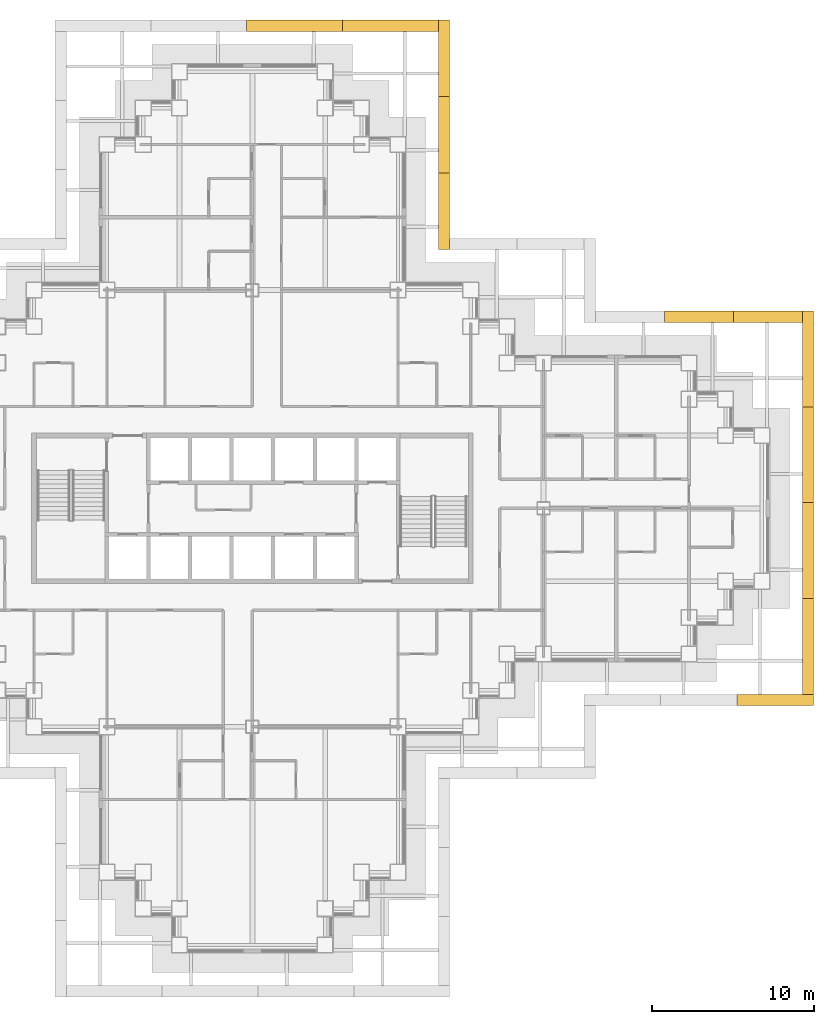
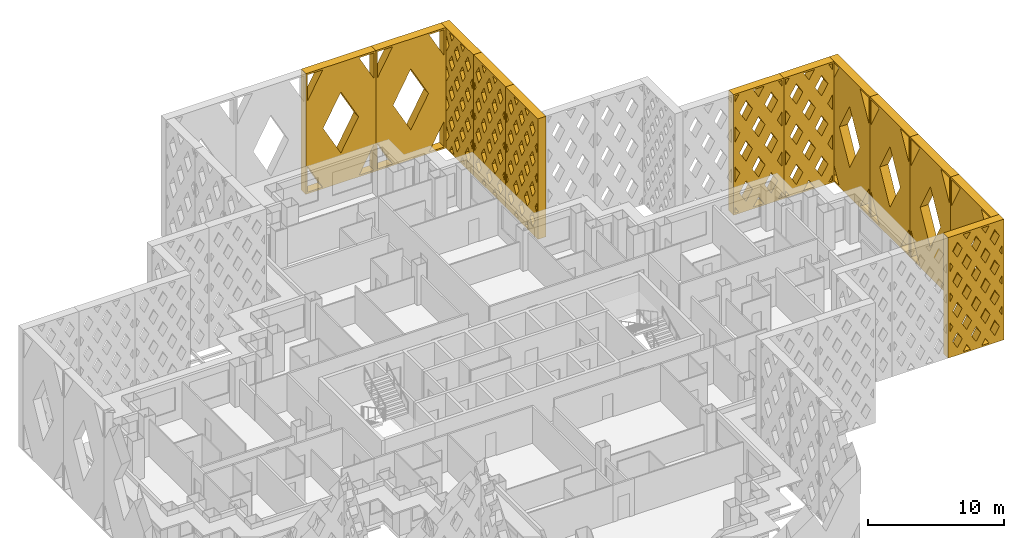
# One storey, part 19 of 19: 12 shading devices.
"""IFC4 building model written with IfcOpenShell, lengths in metres."""

from ifc_helpers import new_model, si_unit, direction, frame, origin, place, context, subcontext, project, spatial, polyline, outline, extrude, material, type_object, element, save


model = new_model("IFC4")

# Units and contexts
model_context = context("Model", 3, precision=1e-05, world=origin(), true_north=direction((0.0, 1.0)))
body_context = subcontext(model_context, "Body", "Model", "MODEL_VIEW")
ifc_project = project(units=[si_unit("LENGTHUNIT", "METRE"), si_unit("AREAUNIT", "SQUARE_METRE"), si_unit("VOLUMEUNIT", "CUBIC_METRE"), si_unit("PLANEANGLEUNIT", "RADIAN"), si_unit("MASSUNIT", "GRAM", prefix="KILO")], contexts=[model_context])

# Site, building, storey
site_placement = place(None, origin())
site = spatial("IfcSite", under=ifc_project, at=site_placement, CompositionType="ELEMENT")
building_placement = place(site_placement, origin())
building = spatial("IfcBuilding", under=site, at=building_placement, Name="Caravel Reach Hotel and Residences", CompositionType="ELEMENT")
storey_placement = place(building_placement, frame((0.0, 0.0, 74.39990234375)))
storey = spatial("IfcBuildingStorey", under=building, at=storey_placement, Name="L17", CompositionType="ELEMENT", Elevation=74.39990234375)

# Shading devices
ifc_material_1 = material(Name="Black powder-coated aluminium", Category="aluminium")
shading_device_type_1 = type_object("IfcShadingDeviceType", Name="Diamond lattice screen panel 4267 x 10800", PredefinedType="USERDEFINED", material=ifc_material_1)
shading_device_1_placement = place(storey_placement, frame((65.5, 38.5, 0.0), z_axis=(0.0, 1.0, 0.0), x_axis=(-1.0, 0.0, 0.0)))
element("IfcShadingDevice", 1, at=shading_device_1_placement, inside=storey, type_object=shading_device_type_1, Name="Lattice screen L17-L19 8.1", ObjectType="SCREEN", PredefinedType="USERDEFINED", context=body_context, shape_type="SweptSolid", body=[
    extrude(outline(polyline([(0.0, 0.0), (4.2666015625, 0.0), (4.2666015625, 10.800048828125), (0.0, 10.800048828125), (0.0, 0.0)]), holes=[polyline([(0.457275390625, 0.14990234375), (0.14990234375, 0.66845703125), (0.14990234375, 0.14990234375), (0.457275390625, 0.14990234375)]), polyline([(0.546142578125, 3.60009765625), (0.14990234375, 4.2685546875), (0.14990234375, 2.931396484375), (0.546142578125, 3.60009765625)]), polyline([(0.546142578125, 7.199951171875), (0.14990234375, 7.868408203125), (0.14990234375, 6.531494140625), (0.546142578125, 7.199951171875)]), polyline([(0.14990234375, 10.131591796875), (0.457275390625, 10.64990234375), (0.14990234375, 10.64990234375), (0.14990234375, 10.131591796875)]), polyline([(1.066650390625, 2.7216796875), (0.5205078125, 1.800048828125), (1.066650390625, 0.87841796875), (1.61279296875, 1.800048828125), (1.066650390625, 2.7216796875)]), polyline([(1.066650390625, 6.321533203125), (0.5205078125, 5.39990234375), (1.066650390625, 4.478271484375), (1.61279296875, 5.39990234375), (1.066650390625, 6.321533203125)]), polyline([(1.066650390625, 9.921630859375), (0.5205078125, 9.0), (1.066650390625, 8.078369140625), (1.61279296875, 9.0), (1.066650390625, 9.921630859375)]), polyline([(2.13330078125, 0.921630859375), (1.676025390625, 0.14990234375), (2.590576171875, 0.14990234375), (2.13330078125, 0.921630859375)]), polyline([(2.13330078125, 4.521728515625), (1.587158203125, 3.60009765625), (2.13330078125, 2.678466796875), (2.679443359375, 3.60009765625), (2.13330078125, 4.521728515625)]), polyline([(2.13330078125, 8.12158203125), (1.587158203125, 7.199951171875), (2.13330078125, 6.2783203125), (2.679443359375, 7.199951171875), (2.13330078125, 8.12158203125)]), polyline([(2.13330078125, 9.87841796875), (2.590576171875, 10.64990234375), (1.676025390625, 10.64990234375), (2.13330078125, 9.87841796875)]), polyline([(3.199951171875, 2.7216796875), (2.65380859375, 1.800048828125), (3.199951171875, 0.87841796875), (3.74609375, 1.800048828125), (3.199951171875, 2.7216796875)]), polyline([(3.199951171875, 6.321533203125), (2.65380859375, 5.39990234375), (3.199951171875, 4.478271484375), (3.74609375, 5.39990234375), (3.199951171875, 6.321533203125)]), polyline([(3.199951171875, 9.921630859375), (2.65380859375, 9.0), (3.199951171875, 8.078369140625), (3.74609375, 9.0), (3.199951171875, 9.921630859375)]), polyline([(4.11669921875, 0.66845703125), (3.809326171875, 0.14990234375), (4.11669921875, 0.14990234375), (4.11669921875, 0.66845703125)]), polyline([(3.720458984375, 3.60009765625), (4.11669921875, 2.931396484375), (4.11669921875, 4.2685546875), (3.720458984375, 3.60009765625)]), polyline([(3.720458984375, 7.199951171875), (4.11669921875, 6.531494140625), (4.11669921875, 7.868408203125), (3.720458984375, 7.199951171875)]), polyline([(3.809326171875, 10.64990234375), (4.11669921875, 10.131591796875), (4.11669921875, 10.64990234375), (3.809326171875, 10.64990234375)])]), origin(), (0.0, 0.0, 1.0), 0.699951171875),
])
shading_device_2_placement = place(storey_placement, frame((61.2333984375, 38.5, 0.0), z_axis=(0.0, 1.0, 0.0), x_axis=(-1.0, 0.0, 0.0)))
element("IfcShadingDevice", 2, at=shading_device_2_placement, inside=storey, type_object=shading_device_type_1, Name="Lattice screen L17-L19 8.2", ObjectType="SCREEN", PredefinedType="USERDEFINED", context=body_context, shape_type="SweptSolid", body=[
    extrude(outline(polyline([(0.0, 0.0), (4.2666015625, 0.0), (4.2666015625, 10.800048828125), (0.0, 10.800048828125), (0.0, 0.0)]), holes=[polyline([(0.457275390625, 0.14990234375), (0.14990234375, 0.66845703125), (0.14990234375, 0.14990234375), (0.457275390625, 0.14990234375)]), polyline([(0.546142578125, 3.60009765625), (0.14990234375, 4.2685546875), (0.14990234375, 2.931396484375), (0.546142578125, 3.60009765625)]), polyline([(0.546142578125, 7.199951171875), (0.14990234375, 7.868408203125), (0.14990234375, 6.531494140625), (0.546142578125, 7.199951171875)]), polyline([(0.14990234375, 10.131591796875), (0.457275390625, 10.64990234375), (0.14990234375, 10.64990234375), (0.14990234375, 10.131591796875)]), polyline([(1.066650390625, 2.7216796875), (0.5205078125, 1.800048828125), (1.066650390625, 0.87841796875), (1.61279296875, 1.800048828125), (1.066650390625, 2.7216796875)]), polyline([(1.066650390625, 6.321533203125), (0.5205078125, 5.39990234375), (1.066650390625, 4.478271484375), (1.61279296875, 5.39990234375), (1.066650390625, 6.321533203125)]), polyline([(1.066650390625, 9.921630859375), (0.5205078125, 9.0), (1.066650390625, 8.078369140625), (1.61279296875, 9.0), (1.066650390625, 9.921630859375)]), polyline([(2.13330078125, 0.921630859375), (1.676025390625, 0.14990234375), (2.590576171875, 0.14990234375), (2.13330078125, 0.921630859375)]), polyline([(2.13330078125, 4.521728515625), (1.587158203125, 3.60009765625), (2.13330078125, 2.678466796875), (2.679443359375, 3.60009765625), (2.13330078125, 4.521728515625)]), polyline([(2.13330078125, 8.12158203125), (1.587158203125, 7.199951171875), (2.13330078125, 6.2783203125), (2.679443359375, 7.199951171875), (2.13330078125, 8.12158203125)]), polyline([(2.13330078125, 9.87841796875), (2.590576171875, 10.64990234375), (1.676025390625, 10.64990234375), (2.13330078125, 9.87841796875)]), polyline([(3.199951171875, 2.7216796875), (2.65380859375, 1.800048828125), (3.199951171875, 0.87841796875), (3.74609375, 1.800048828125), (3.199951171875, 2.7216796875)]), polyline([(3.199951171875, 6.321533203125), (2.65380859375, 5.39990234375), (3.199951171875, 4.478271484375), (3.74609375, 5.39990234375), (3.199951171875, 6.321533203125)]), polyline([(3.199951171875, 9.921630859375), (2.65380859375, 9.0), (3.199951171875, 8.078369140625), (3.74609375, 9.0), (3.199951171875, 9.921630859375)]), polyline([(4.11669921875, 0.66845703125), (3.809326171875, 0.14990234375), (4.11669921875, 0.14990234375), (4.11669921875, 0.66845703125)]), polyline([(3.720458984375, 3.60009765625), (4.11669921875, 2.931396484375), (4.11669921875, 4.2685546875), (3.720458984375, 3.60009765625)]), polyline([(3.720458984375, 7.199951171875), (4.11669921875, 6.531494140625), (4.11669921875, 7.868408203125), (3.720458984375, 7.199951171875)]), polyline([(3.809326171875, 10.64990234375), (4.11669921875, 10.131591796875), (4.11669921875, 10.64990234375), (3.809326171875, 10.64990234375)])]), origin(), (0.0, 0.0, 1.0), 0.699951171875),
])
ifc_material_2 = material(Name="Black powder-coated aluminium", Category="aluminium")
shading_device_type_2 = type_object("IfcShadingDeviceType", Name="Diamond lattice screen panel 4733 x 10800", PredefinedType="USERDEFINED", material=ifc_material_2)
shading_device_3_placement = place(storey_placement, frame((61.466552734375, 15.5, 0.0), z_axis=(0.0, -1.0, 0.0), x_axis=(1.0, 0.0, 0.0)))
element("IfcShadingDevice", 3, at=shading_device_3_placement, inside=storey, type_object=shading_device_type_2, Name="Lattice screen L17-L19 6.3", ObjectType="SCREEN", PredefinedType="USERDEFINED", context=body_context, shape_type="SweptSolid", body=[
    extrude(outline(polyline([(0.0, 0.0), (4.7333984375, 0.0), (4.7333984375, 10.800048828125), (0.0, 10.800048828125), (0.0, 0.0)]), holes=[polyline([(0.4013671875, 2.699951171875), (0.14990234375, 3.130126953125), (0.14990234375, 2.269775390625), (0.4013671875, 2.699951171875)]), polyline([(0.4013671875, 5.39990234375), (0.14990234375, 5.830078125), (0.14990234375, 4.969970703125), (0.4013671875, 5.39990234375)]), polyline([(0.4013671875, 8.10009765625), (0.14990234375, 8.530029296875), (0.14990234375, 7.669921875), (0.4013671875, 8.10009765625)]), polyline([(0.788818359375, 2.036865234375), (0.387451171875, 1.35009765625), (0.788818359375, 0.6630859375), (1.190185546875, 1.35009765625), (0.788818359375, 2.036865234375)]), polyline([(0.788818359375, 4.73681640625), (0.387451171875, 4.050048828125), (0.788818359375, 3.36328125), (1.190185546875, 4.050048828125), (0.788818359375, 4.73681640625)]), polyline([(0.788818359375, 7.436767578125), (0.387451171875, 6.75), (0.788818359375, 6.063232421875), (1.190185546875, 6.75), (0.788818359375, 7.436767578125)]), polyline([(0.788818359375, 10.13671875), (0.387451171875, 9.449951171875), (0.788818359375, 8.76318359375), (1.190185546875, 9.449951171875), (0.788818359375, 10.13671875)]), polyline([(1.577880859375, 0.686767578125), (1.26416015625, 0.14990234375), (1.8916015625, 0.14990234375), (1.577880859375, 0.686767578125)]), polyline([(1.577880859375, 3.38671875), (1.176513671875, 2.699951171875), (1.577880859375, 2.01318359375), (1.979248046875, 2.699951171875), (1.577880859375, 3.38671875)]), polyline([(1.577880859375, 6.0869140625), (1.176513671875, 5.39990234375), (1.577880859375, 4.713134765625), (1.979248046875, 5.39990234375), (1.577880859375, 6.0869140625)]), polyline([(1.577880859375, 8.786865234375), (1.176513671875, 8.10009765625), (1.577880859375, 7.4130859375), (1.979248046875, 8.10009765625), (1.577880859375, 8.786865234375)]), polyline([(1.577880859375, 10.11328125), (1.8916015625, 10.64990234375), (1.26416015625, 10.64990234375), (1.577880859375, 10.11328125)]), polyline([(2.36669921875, 2.036865234375), (1.96533203125, 1.35009765625), (2.36669921875, 0.6630859375), (2.76806640625, 1.35009765625), (2.36669921875, 2.036865234375)]), polyline([(2.36669921875, 4.73681640625), (1.96533203125, 4.050048828125), (2.36669921875, 3.36328125), (2.76806640625, 4.050048828125), (2.36669921875, 4.73681640625)]), polyline([(2.36669921875, 7.436767578125), (1.96533203125, 6.75), (2.36669921875, 6.063232421875), (2.76806640625, 6.75), (2.36669921875, 7.436767578125)]), polyline([(2.36669921875, 10.13671875), (1.96533203125, 9.449951171875), (2.36669921875, 8.76318359375), (2.76806640625, 9.449951171875), (2.36669921875, 10.13671875)]), polyline([(3.155517578125, 0.686767578125), (2.841796875, 0.14990234375), (3.46923828125, 0.14990234375), (3.155517578125, 0.686767578125)]), polyline([(3.155517578125, 3.38671875), (2.754150390625, 2.699951171875), (3.155517578125, 2.01318359375), (3.556884765625, 2.699951171875), (3.155517578125, 3.38671875)]), polyline([(3.155517578125, 6.0869140625), (2.754150390625, 5.39990234375), (3.155517578125, 4.713134765625), (3.556884765625, 5.39990234375), (3.155517578125, 6.0869140625)]), polyline([(3.155517578125, 8.786865234375), (2.754150390625, 8.10009765625), (3.155517578125, 7.4130859375), (3.556884765625, 8.10009765625), (3.155517578125, 8.786865234375)]), polyline([(3.155517578125, 10.11328125), (3.46923828125, 10.64990234375), (2.841796875, 10.64990234375), (3.155517578125, 10.11328125)]), polyline([(3.9443359375, 2.036865234375), (3.54296875, 1.35009765625), (3.9443359375, 0.6630859375), (4.345703125, 1.35009765625), (3.9443359375, 2.036865234375)]), polyline([(3.9443359375, 4.73681640625), (3.54296875, 4.050048828125), (3.9443359375, 3.36328125), (4.345703125, 4.050048828125), (3.9443359375, 4.73681640625)]), polyline([(3.9443359375, 7.436767578125), (3.54296875, 6.75), (3.9443359375, 6.063232421875), (4.345703125, 6.75), (3.9443359375, 7.436767578125)]), polyline([(3.9443359375, 10.13671875), (3.54296875, 9.449951171875), (3.9443359375, 8.76318359375), (4.345703125, 9.449951171875), (3.9443359375, 10.13671875)]), polyline([(4.33203125, 2.699951171875), (4.583251953125, 2.269775390625), (4.583251953125, 3.130126953125), (4.33203125, 2.699951171875)]), polyline([(4.33203125, 5.39990234375), (4.583251953125, 4.969970703125), (4.583251953125, 5.830078125), (4.33203125, 5.39990234375)]), polyline([(4.33203125, 8.10009765625), (4.583251953125, 7.669921875), (4.583251953125, 8.530029296875), (4.33203125, 8.10009765625)])]), origin(), (0.0, 0.0, 1.0), 0.699951171875),
])
shading_device_4_placement = place(storey_placement, frame((43.0, 43.0, 0.0), z_axis=(1.0, 0.0, 0.0), x_axis=(0.0, 1.0, 0.0)))
element("IfcShadingDevice", 4, at=shading_device_4_placement, inside=storey, type_object=shading_device_type_2, Name="Lattice screen L17-L19 11.1", ObjectType="SCREEN", PredefinedType="USERDEFINED", context=body_context, shape_type="SweptSolid", body=[
    extrude(outline(polyline([(0.0, 0.0), (4.7333984375, 0.0), (4.7333984375, 10.800048828125), (0.0, 10.800048828125), (0.0, 0.0)]), holes=[polyline([(0.4013671875, 2.699951171875), (0.14990234375, 3.130126953125), (0.14990234375, 2.269775390625), (0.4013671875, 2.699951171875)]), polyline([(0.4013671875, 5.39990234375), (0.14990234375, 5.830078125), (0.14990234375, 4.969970703125), (0.4013671875, 5.39990234375)]), polyline([(0.4013671875, 8.10009765625), (0.14990234375, 8.530029296875), (0.14990234375, 7.669921875), (0.4013671875, 8.10009765625)]), polyline([(0.788818359375, 2.036865234375), (0.387451171875, 1.35009765625), (0.788818359375, 0.6630859375), (1.190185546875, 1.35009765625), (0.788818359375, 2.036865234375)]), polyline([(0.788818359375, 4.73681640625), (0.387451171875, 4.050048828125), (0.788818359375, 3.36328125), (1.190185546875, 4.050048828125), (0.788818359375, 4.73681640625)]), polyline([(0.788818359375, 7.436767578125), (0.387451171875, 6.75), (0.788818359375, 6.063232421875), (1.190185546875, 6.75), (0.788818359375, 7.436767578125)]), polyline([(0.788818359375, 10.13671875), (0.387451171875, 9.449951171875), (0.788818359375, 8.76318359375), (1.190185546875, 9.449951171875), (0.788818359375, 10.13671875)]), polyline([(1.577880859375, 0.686767578125), (1.26416015625, 0.14990234375), (1.8916015625, 0.14990234375), (1.577880859375, 0.686767578125)]), polyline([(1.577880859375, 3.38671875), (1.176513671875, 2.699951171875), (1.577880859375, 2.01318359375), (1.979248046875, 2.699951171875), (1.577880859375, 3.38671875)]), polyline([(1.577880859375, 6.0869140625), (1.176513671875, 5.39990234375), (1.577880859375, 4.713134765625), (1.979248046875, 5.39990234375), (1.577880859375, 6.0869140625)]), polyline([(1.577880859375, 8.786865234375), (1.176513671875, 8.10009765625), (1.577880859375, 7.4130859375), (1.979248046875, 8.10009765625), (1.577880859375, 8.786865234375)]), polyline([(1.577880859375, 10.11328125), (1.8916015625, 10.64990234375), (1.26416015625, 10.64990234375), (1.577880859375, 10.11328125)]), polyline([(2.36669921875, 2.036865234375), (1.96533203125, 1.35009765625), (2.36669921875, 0.6630859375), (2.76806640625, 1.35009765625), (2.36669921875, 2.036865234375)]), polyline([(2.36669921875, 4.73681640625), (1.96533203125, 4.050048828125), (2.36669921875, 3.36328125), (2.76806640625, 4.050048828125), (2.36669921875, 4.73681640625)]), polyline([(2.36669921875, 7.436767578125), (1.96533203125, 6.75), (2.36669921875, 6.063232421875), (2.76806640625, 6.75), (2.36669921875, 7.436767578125)]), polyline([(2.36669921875, 10.13671875), (1.96533203125, 9.449951171875), (2.36669921875, 8.76318359375), (2.76806640625, 9.449951171875), (2.36669921875, 10.13671875)]), polyline([(3.155517578125, 0.686767578125), (2.841796875, 0.14990234375), (3.46923828125, 0.14990234375), (3.155517578125, 0.686767578125)]), polyline([(3.155517578125, 3.38671875), (2.754150390625, 2.699951171875), (3.155517578125, 2.01318359375), (3.556884765625, 2.699951171875), (3.155517578125, 3.38671875)]), polyline([(3.155517578125, 6.0869140625), (2.754150390625, 5.39990234375), (3.155517578125, 4.713134765625), (3.556884765625, 5.39990234375), (3.155517578125, 6.0869140625)]), polyline([(3.155517578125, 8.786865234375), (2.754150390625, 8.10009765625), (3.155517578125, 7.4130859375), (3.556884765625, 8.10009765625), (3.155517578125, 8.786865234375)]), polyline([(3.155517578125, 10.11328125), (3.46923828125, 10.64990234375), (2.841796875, 10.64990234375), (3.155517578125, 10.11328125)]), polyline([(3.9443359375, 2.036865234375), (3.54296875, 1.35009765625), (3.9443359375, 0.6630859375), (4.345703125, 1.35009765625), (3.9443359375, 2.036865234375)]), polyline([(3.9443359375, 4.73681640625), (3.54296875, 4.050048828125), (3.9443359375, 3.36328125), (4.345703125, 4.050048828125), (3.9443359375, 4.73681640625)]), polyline([(3.9443359375, 7.436767578125), (3.54296875, 6.75), (3.9443359375, 6.063232421875), (4.345703125, 6.75), (3.9443359375, 7.436767578125)]), polyline([(3.9443359375, 10.13671875), (3.54296875, 9.449951171875), (3.9443359375, 8.76318359375), (4.345703125, 9.449951171875), (3.9443359375, 10.13671875)]), polyline([(4.33203125, 2.699951171875), (4.583251953125, 2.269775390625), (4.583251953125, 3.130126953125), (4.33203125, 2.699951171875)]), polyline([(4.33203125, 5.39990234375), (4.583251953125, 4.969970703125), (4.583251953125, 5.830078125), (4.33203125, 5.39990234375)]), polyline([(4.33203125, 8.10009765625), (4.583251953125, 7.669921875), (4.583251953125, 8.530029296875), (4.33203125, 8.10009765625)])]), origin(), (0.0, 0.0, 1.0), 0.699951171875),
])
shading_device_5_placement = place(storey_placement, frame((43.0, 47.7333984375, 0.0), z_axis=(1.0, 0.0, 0.0), x_axis=(0.0, 1.0, 0.0)))
element("IfcShadingDevice", 5, at=shading_device_5_placement, inside=storey, type_object=shading_device_type_2, Name="Lattice screen L17-L19 11.2", ObjectType="SCREEN", PredefinedType="USERDEFINED", context=body_context, shape_type="SweptSolid", body=[
    extrude(outline(polyline([(0.0, 0.0), (4.7333984375, 0.0), (4.7333984375, 10.800048828125), (0.0, 10.800048828125), (0.0, 0.0)]), holes=[polyline([(0.4013671875, 2.699951171875), (0.14990234375, 3.130126953125), (0.14990234375, 2.269775390625), (0.4013671875, 2.699951171875)]), polyline([(0.4013671875, 5.39990234375), (0.14990234375, 5.830078125), (0.14990234375, 4.969970703125), (0.4013671875, 5.39990234375)]), polyline([(0.4013671875, 8.10009765625), (0.14990234375, 8.530029296875), (0.14990234375, 7.669921875), (0.4013671875, 8.10009765625)]), polyline([(0.788818359375, 2.036865234375), (0.387451171875, 1.35009765625), (0.788818359375, 0.6630859375), (1.190185546875, 1.35009765625), (0.788818359375, 2.036865234375)]), polyline([(0.788818359375, 4.73681640625), (0.387451171875, 4.050048828125), (0.788818359375, 3.36328125), (1.190185546875, 4.050048828125), (0.788818359375, 4.73681640625)]), polyline([(0.788818359375, 7.436767578125), (0.387451171875, 6.75), (0.788818359375, 6.063232421875), (1.190185546875, 6.75), (0.788818359375, 7.436767578125)]), polyline([(0.788818359375, 10.13671875), (0.387451171875, 9.449951171875), (0.788818359375, 8.76318359375), (1.190185546875, 9.449951171875), (0.788818359375, 10.13671875)]), polyline([(1.577880859375, 0.686767578125), (1.26416015625, 0.14990234375), (1.8916015625, 0.14990234375), (1.577880859375, 0.686767578125)]), polyline([(1.577880859375, 3.38671875), (1.176513671875, 2.699951171875), (1.577880859375, 2.01318359375), (1.979248046875, 2.699951171875), (1.577880859375, 3.38671875)]), polyline([(1.577880859375, 6.0869140625), (1.176513671875, 5.39990234375), (1.577880859375, 4.713134765625), (1.979248046875, 5.39990234375), (1.577880859375, 6.0869140625)]), polyline([(1.577880859375, 8.786865234375), (1.176513671875, 8.10009765625), (1.577880859375, 7.4130859375), (1.979248046875, 8.10009765625), (1.577880859375, 8.786865234375)]), polyline([(1.577880859375, 10.11328125), (1.8916015625, 10.64990234375), (1.26416015625, 10.64990234375), (1.577880859375, 10.11328125)]), polyline([(2.36669921875, 2.036865234375), (1.96533203125, 1.35009765625), (2.36669921875, 0.6630859375), (2.76806640625, 1.35009765625), (2.36669921875, 2.036865234375)]), polyline([(2.36669921875, 4.73681640625), (1.96533203125, 4.050048828125), (2.36669921875, 3.36328125), (2.76806640625, 4.050048828125), (2.36669921875, 4.73681640625)]), polyline([(2.36669921875, 7.436767578125), (1.96533203125, 6.75), (2.36669921875, 6.063232421875), (2.76806640625, 6.75), (2.36669921875, 7.436767578125)]), polyline([(2.36669921875, 10.13671875), (1.96533203125, 9.449951171875), (2.36669921875, 8.76318359375), (2.76806640625, 9.449951171875), (2.36669921875, 10.13671875)]), polyline([(3.155517578125, 0.686767578125), (2.841796875, 0.14990234375), (3.46923828125, 0.14990234375), (3.155517578125, 0.686767578125)]), polyline([(3.155517578125, 3.38671875), (2.754150390625, 2.699951171875), (3.155517578125, 2.01318359375), (3.556884765625, 2.699951171875), (3.155517578125, 3.38671875)]), polyline([(3.155517578125, 6.0869140625), (2.754150390625, 5.39990234375), (3.155517578125, 4.713134765625), (3.556884765625, 5.39990234375), (3.155517578125, 6.0869140625)]), polyline([(3.155517578125, 8.786865234375), (2.754150390625, 8.10009765625), (3.155517578125, 7.4130859375), (3.556884765625, 8.10009765625), (3.155517578125, 8.786865234375)]), polyline([(3.155517578125, 10.11328125), (3.46923828125, 10.64990234375), (2.841796875, 10.64990234375), (3.155517578125, 10.11328125)]), polyline([(3.9443359375, 2.036865234375), (3.54296875, 1.35009765625), (3.9443359375, 0.6630859375), (4.345703125, 1.35009765625), (3.9443359375, 2.036865234375)]), polyline([(3.9443359375, 4.73681640625), (3.54296875, 4.050048828125), (3.9443359375, 3.36328125), (4.345703125, 4.050048828125), (3.9443359375, 4.73681640625)]), polyline([(3.9443359375, 7.436767578125), (3.54296875, 6.75), (3.9443359375, 6.063232421875), (4.345703125, 6.75), (3.9443359375, 7.436767578125)]), polyline([(3.9443359375, 10.13671875), (3.54296875, 9.449951171875), (3.9443359375, 8.76318359375), (4.345703125, 9.449951171875), (3.9443359375, 10.13671875)]), polyline([(4.33203125, 2.699951171875), (4.583251953125, 2.269775390625), (4.583251953125, 3.130126953125), (4.33203125, 2.699951171875)]), polyline([(4.33203125, 5.39990234375), (4.583251953125, 4.969970703125), (4.583251953125, 5.830078125), (4.33203125, 5.39990234375)]), polyline([(4.33203125, 8.10009765625), (4.583251953125, 7.669921875), (4.583251953125, 8.530029296875), (4.33203125, 8.10009765625)])]), origin(), (0.0, 0.0, 1.0), 0.699951171875),
])
shading_device_6_placement = place(storey_placement, frame((43.0, 52.466552734375, 0.0), z_axis=(1.0, 0.0, 0.0), x_axis=(0.0, 1.0, 0.0)))
element("IfcShadingDevice", 6, at=shading_device_6_placement, inside=storey, type_object=shading_device_type_2, Name="Lattice screen L17-L19 11.3", ObjectType="SCREEN", PredefinedType="USERDEFINED", context=body_context, shape_type="SweptSolid", body=[
    extrude(outline(polyline([(0.0, 0.0), (4.7333984375, 0.0), (4.7333984375, 10.800048828125), (0.0, 10.800048828125), (0.0, 0.0)]), holes=[polyline([(0.4013671875, 2.699951171875), (0.14990234375, 3.130126953125), (0.14990234375, 2.269775390625), (0.4013671875, 2.699951171875)]), polyline([(0.4013671875, 5.39990234375), (0.14990234375, 5.830078125), (0.14990234375, 4.969970703125), (0.4013671875, 5.39990234375)]), polyline([(0.4013671875, 8.10009765625), (0.14990234375, 8.530029296875), (0.14990234375, 7.669921875), (0.4013671875, 8.10009765625)]), polyline([(0.788818359375, 2.036865234375), (0.387451171875, 1.35009765625), (0.788818359375, 0.6630859375), (1.190185546875, 1.35009765625), (0.788818359375, 2.036865234375)]), polyline([(0.788818359375, 4.73681640625), (0.387451171875, 4.050048828125), (0.788818359375, 3.36328125), (1.190185546875, 4.050048828125), (0.788818359375, 4.73681640625)]), polyline([(0.788818359375, 7.436767578125), (0.387451171875, 6.75), (0.788818359375, 6.063232421875), (1.190185546875, 6.75), (0.788818359375, 7.436767578125)]), polyline([(0.788818359375, 10.13671875), (0.387451171875, 9.449951171875), (0.788818359375, 8.76318359375), (1.190185546875, 9.449951171875), (0.788818359375, 10.13671875)]), polyline([(1.577880859375, 0.686767578125), (1.26416015625, 0.14990234375), (1.8916015625, 0.14990234375), (1.577880859375, 0.686767578125)]), polyline([(1.577880859375, 3.38671875), (1.176513671875, 2.699951171875), (1.577880859375, 2.01318359375), (1.979248046875, 2.699951171875), (1.577880859375, 3.38671875)]), polyline([(1.577880859375, 6.0869140625), (1.176513671875, 5.39990234375), (1.577880859375, 4.713134765625), (1.979248046875, 5.39990234375), (1.577880859375, 6.0869140625)]), polyline([(1.577880859375, 8.786865234375), (1.176513671875, 8.10009765625), (1.577880859375, 7.4130859375), (1.979248046875, 8.10009765625), (1.577880859375, 8.786865234375)]), polyline([(1.577880859375, 10.11328125), (1.8916015625, 10.64990234375), (1.26416015625, 10.64990234375), (1.577880859375, 10.11328125)]), polyline([(2.36669921875, 2.036865234375), (1.96533203125, 1.35009765625), (2.36669921875, 0.6630859375), (2.76806640625, 1.35009765625), (2.36669921875, 2.036865234375)]), polyline([(2.36669921875, 4.73681640625), (1.96533203125, 4.050048828125), (2.36669921875, 3.36328125), (2.76806640625, 4.050048828125), (2.36669921875, 4.73681640625)]), polyline([(2.36669921875, 7.436767578125), (1.96533203125, 6.75), (2.36669921875, 6.063232421875), (2.76806640625, 6.75), (2.36669921875, 7.436767578125)]), polyline([(2.36669921875, 10.13671875), (1.96533203125, 9.449951171875), (2.36669921875, 8.76318359375), (2.76806640625, 9.449951171875), (2.36669921875, 10.13671875)]), polyline([(3.155517578125, 0.686767578125), (2.841796875, 0.14990234375), (3.46923828125, 0.14990234375), (3.155517578125, 0.686767578125)]), polyline([(3.155517578125, 3.38671875), (2.754150390625, 2.699951171875), (3.155517578125, 2.01318359375), (3.556884765625, 2.699951171875), (3.155517578125, 3.38671875)]), polyline([(3.155517578125, 6.0869140625), (2.754150390625, 5.39990234375), (3.155517578125, 4.713134765625), (3.556884765625, 5.39990234375), (3.155517578125, 6.0869140625)]), polyline([(3.155517578125, 8.786865234375), (2.754150390625, 8.10009765625), (3.155517578125, 7.4130859375), (3.556884765625, 8.10009765625), (3.155517578125, 8.786865234375)]), polyline([(3.155517578125, 10.11328125), (3.46923828125, 10.64990234375), (2.841796875, 10.64990234375), (3.155517578125, 10.11328125)]), polyline([(3.9443359375, 2.036865234375), (3.54296875, 1.35009765625), (3.9443359375, 0.6630859375), (4.345703125, 1.35009765625), (3.9443359375, 2.036865234375)]), polyline([(3.9443359375, 4.73681640625), (3.54296875, 4.050048828125), (3.9443359375, 3.36328125), (4.345703125, 4.050048828125), (3.9443359375, 4.73681640625)]), polyline([(3.9443359375, 7.436767578125), (3.54296875, 6.75), (3.9443359375, 6.063232421875), (4.345703125, 6.75), (3.9443359375, 7.436767578125)]), polyline([(3.9443359375, 10.13671875), (3.54296875, 9.449951171875), (3.9443359375, 8.76318359375), (4.345703125, 9.449951171875), (3.9443359375, 10.13671875)]), polyline([(4.33203125, 2.699951171875), (4.583251953125, 2.269775390625), (4.583251953125, 3.130126953125), (4.33203125, 2.699951171875)]), polyline([(4.33203125, 5.39990234375), (4.583251953125, 4.969970703125), (4.583251953125, 5.830078125), (4.33203125, 5.39990234375)]), polyline([(4.33203125, 8.10009765625), (4.583251953125, 7.669921875), (4.583251953125, 8.530029296875), (4.33203125, 8.10009765625)])]), origin(), (0.0, 0.0, 1.0), 0.699951171875),
])
ifc_material_3 = material(Name="Black powder-coated aluminium", Category="aluminium")
shading_device_type_3 = type_object("IfcShadingDeviceType", Name="Diamond lattice screen panel 5925 x 10800", PredefinedType="USERDEFINED", material=ifc_material_3)
for number, where, z_axis, x_axis, name in (
    (7, (65.5, 15.5, 0.0), (1.0, 0.0, 0.0), (0.0, 1.0, 0.0), "Lattice screen L17-L19 7.1"),
    (8, (65.5, 21.425048828125, 0.0), (1.0, 0.0, 0.0), (0.0, 1.0, 0.0), "Lattice screen L17-L19 7.2"),
    (9, (65.5, 27.35009765625, 0.0), (1.0, 0.0, 0.0), (0.0, 1.0, 0.0), "Lattice screen L17-L19 7.3"),
    (10, (65.5, 33.27490234375, 0.0), (1.0, 0.0, 0.0), (0.0, 1.0, 0.0), "Lattice screen L17-L19 7.4"),
    (11, (43.0, 56.5, 0.0), (0.0, 1.0, 0.0), (-1.0, 0.0, 0.0), "Lattice screen L17-L19 12.1"),
    (12, (37.074951171875, 56.5, 0.0), (0.0, 1.0, 0.0), (-1.0, 0.0, 0.0), "Lattice screen L17-L19 12.2"),
):
    element("IfcShadingDevice", number, at=place(storey_placement, frame(where, z_axis=z_axis, x_axis=x_axis)), inside=storey, type_object=shading_device_type_3, Name=name, ObjectType="SCREEN", PredefinedType="USERDEFINED", context=body_context, shape_type="SweptSolid", body=[
        extrude(outline(polyline([(0.0, 0.0), (5.925048828125, 0.0), (5.925048828125, 10.800048828125), (0.0, 10.800048828125), (0.0, 0.0)]), holes=[polyline([(1.41845703125, 0.14990234375), (0.14990234375, 2.462158203125), (0.14990234375, 0.14990234375), (1.41845703125, 0.14990234375)]), polyline([(0.14990234375, 8.337646484375), (1.41845703125, 10.64990234375), (0.14990234375, 10.64990234375), (0.14990234375, 8.337646484375)]), polyline([(2.96240234375, 8.1357421875), (1.461669921875, 5.39990234375), (2.96240234375, 2.664306640625), (4.46337890625, 5.39990234375), (2.96240234375, 8.1357421875)]), polyline([(5.77490234375, 2.462158203125), (4.506591796875, 0.14990234375), (5.77490234375, 0.14990234375), (5.77490234375, 2.462158203125)]), polyline([(4.506591796875, 10.64990234375), (5.77490234375, 8.337646484375), (5.77490234375, 10.64990234375), (4.506591796875, 10.64990234375)])]), origin(), (0.0, 0.0, 1.0), 0.699951171875),
    ])

save(model, "model.ifc")
